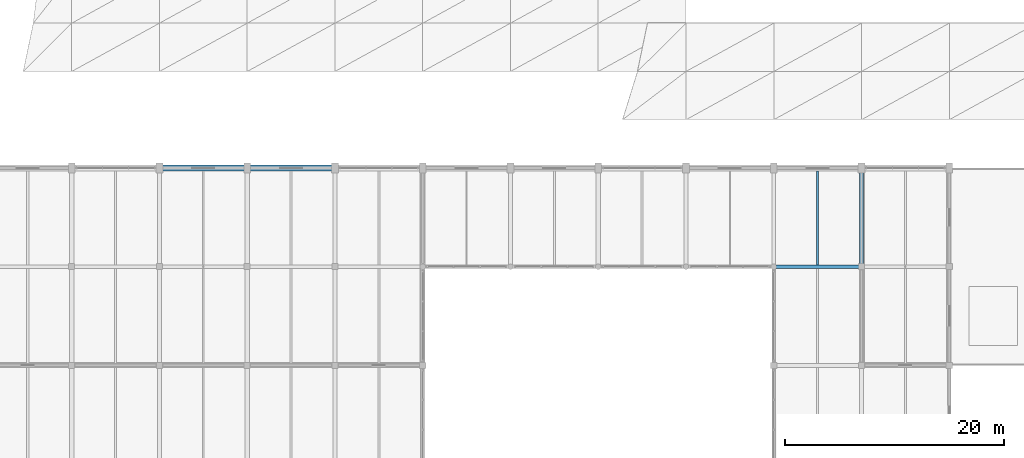
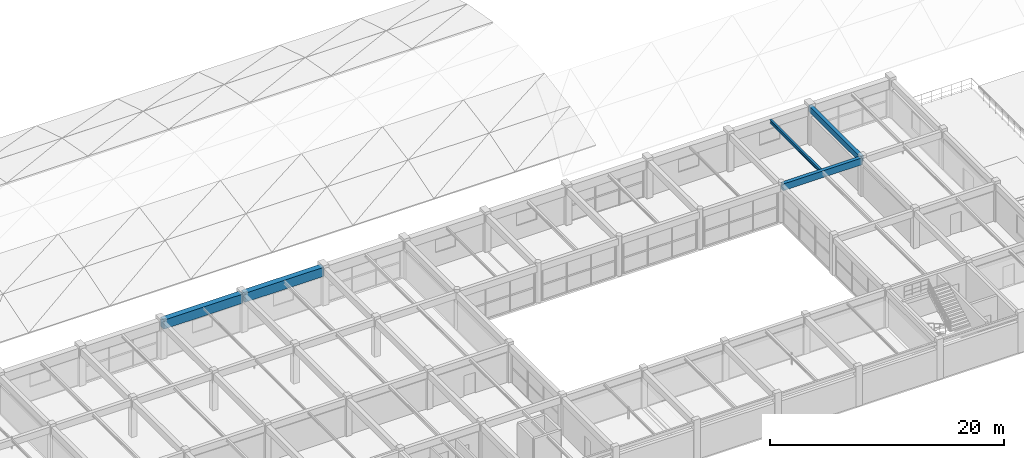
# One storey, part 23 of 63: 5 beams.
"""IFC4 building model written with IfcOpenShell, lengths in metres."""

from ifc_helpers import new_model, si_unit, direction, frame, origin, origin_2d, place, context, subcontext, project, spatial, rectangle, i_section, extrude, material, material_profile, profile_set, type_object, element, save


model = new_model("IFC4")

# Units and contexts
model_context = context("Model", 3, precision=1e-05, world=origin(), true_north=direction((0.0, 1.0)))
body_context = subcontext(model_context, "Body", "Model", "MODEL_VIEW")
ifc_project = project(units=[si_unit("LENGTHUNIT", "METRE"), si_unit("AREAUNIT", "SQUARE_METRE"), si_unit("VOLUMEUNIT", "CUBIC_METRE"), si_unit("PLANEANGLEUNIT", "RADIAN"), si_unit("MASSUNIT", "GRAM", prefix="KILO")], contexts=[model_context])

# Site, building, storey
site_placement = place(None, origin())
site = spatial("IfcSite", under=ifc_project, at=site_placement, CompositionType="ELEMENT")
building_placement = place(site_placement, origin())
building = spatial("IfcBuilding", under=site, at=building_placement, Name="Varnabhumi Central Station", CompositionType="ELEMENT")
storey_placement = place(building_placement, frame((0.0, 0.0, 20.39990234375)))
storey = spatial("IfcBuildingStorey", under=building, at=storey_placement, Name="L04", CompositionType="ELEMENT", Elevation=20.39990234375)

# Beams
ifc_material_1 = material(Name="Concrete M40", Category="concrete")
ifc_material_profile_1 = material_profile(ifc_material_1, rectangle(XDim=0.35009765625, YDim=0.60009765625, at=origin_2d()), Name="Concrete M40", Category="concrete")
ifc_profile_set_1 = profile_set([ifc_material_profile_1], Name="Concrete M40")
beam_type_1 = type_object("IfcBeamType", Name="BM-RC-350x600", PredefinedType="BEAM", material=ifc_profile_set_1)
beam_1_placement = place(storey_placement, frame((152.0, 27.10009765625, 3.6201171875), z_axis=(0.0, 1.0, 0.0), x_axis=(-1.0, 0.0, 0.0)))
element("IfcBeam", 1, at=beam_1_placement, inside=storey, type_object=beam_type_1, Name="Beam L04-20:D-E", PredefinedType="BEAM", context=body_context, shape_type="SweptSolid", body=[
    extrude(rectangle(XDim=0.35009765625, YDim=0.60009765625, at=origin_2d()), origin(), (0.0, 0.0, 1.0), 8.7998046875),
])
ifc_material_profile_2 = material_profile(ifc_material_1, rectangle(XDim=0.35009765625, YDim=0.699951171875, at=origin_2d()), Name="Concrete M40", Category="concrete")
ifc_profile_set_2 = profile_set([ifc_material_profile_2], Name="Concrete M40")
beam_type_2 = type_object("IfcBeamType", Name="BM-RC-350x700", PredefinedType="BEAM", material=ifc_profile_set_2)
beam_2_placement = place(storey_placement, frame((144.10009765625, 27.0, 3.570068359375), z_axis=(1.0, 0.0, 0.0), x_axis=(0.0, 1.0, 0.0)))
element("IfcBeam", 2, at=beam_2_placement, inside=storey, type_object=beam_type_2, Name="Beam L04-D:19-20", PredefinedType="BEAM", context=body_context, shape_type="SweptSolid", body=[
    extrude(rectangle(XDim=0.35009765625, YDim=0.699951171875, at=origin_2d()), origin(), (0.0, 0.0, 1.0), 7.7998046875),
])
ifc_material_profile_3 = material_profile(ifc_material_1, rectangle(XDim=0.550048828125, YDim=0.949951171875, at=origin_2d()), Name="Concrete M40", Category="concrete")
ifc_profile_set_3 = profile_set([ifc_material_profile_3], Name="Concrete M40")
beam_type_3 = type_object("IfcBeamType", Name="BM-RC-550x950", PredefinedType="BEAM", material=ifc_profile_set_3)
for number, where, z_axis, x_axis, name in (
    (3, (88.10009765625, 36.0, 3.445068359375), (1.0, 0.0, 0.0), (0.0, 1.0, 0.0), "Beam L04-E:12-13"),
    (4, (96.10009765625, 36.0, 3.445068359375), (1.0, 0.0, 0.0), (0.0, 1.0, 0.0), "Beam L04-E:13-14"),
):
    element("IfcBeam", number, at=place(storey_placement, frame(where, z_axis=z_axis, x_axis=x_axis)), inside=storey, type_object=beam_type_3, Name=name, PredefinedType="BEAM", context=body_context, shape_type="SweptSolid", body=[
        extrude(rectangle(XDim=0.550048828125, YDim=0.949951171875, at=origin_2d()), origin(), (0.0, 0.0, 1.0), 7.7998046875),
    ])
ifc_material_2 = material(Name="Structural steel E350", Category="steel")
ifc_material_profile_4 = material_profile(ifc_material_2, i_section(OverallWidth=0.199951171875, OverallDepth=0.35009765625, WebThickness=0.008056640625, FlangeThickness=0.011474609375, FilletRadius=0.011962890625, at=origin_2d()), Name="Structural steel E350", Category="steel")
ifc_profile_set_4 = profile_set([ifc_material_profile_4], Name="Structural steel E350")
beam_type_4 = type_object("IfcBeamType", Name="BM-STL-ISWB350", PredefinedType="JOIST", material=ifc_profile_set_4)
beam_3_placement = place(storey_placement, frame((148.0, 27.175048828125, 3.7451171875), z_axis=(0.0, 1.0, 0.0), x_axis=(-1.0, 0.0, 0.0)))
element("IfcBeam", 5, at=beam_3_placement, inside=storey, type_object=beam_type_4, Name="Secondary Joist L04-19/20:D-E", PredefinedType="JOIST", context=body_context, shape_type="SweptSolid", body=[
    extrude(i_section(OverallWidth=0.199951171875, OverallDepth=0.35009765625, WebThickness=0.008056640625, FlangeThickness=0.011474609375, FilletRadius=0.011962890625, at=origin_2d()), origin(), (0.0, 0.0, 1.0), 8.550048828125),
])

save(model, "model.ifc")
